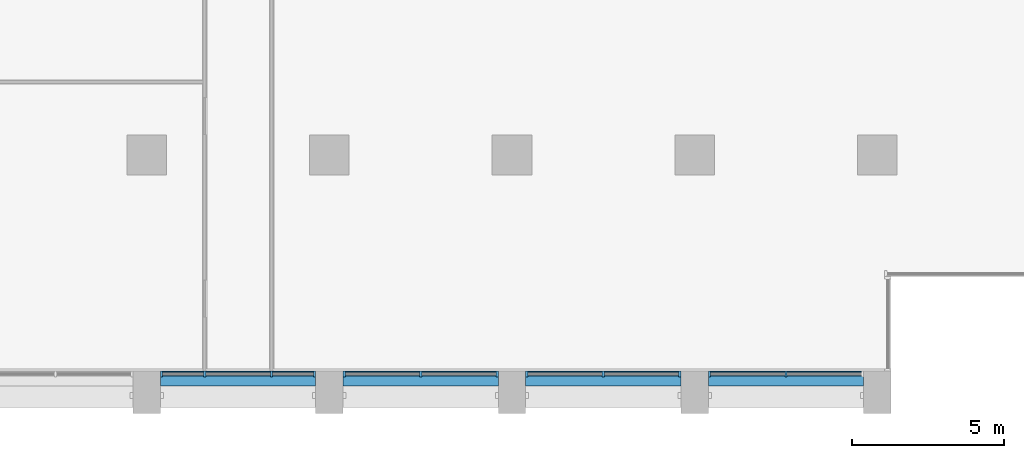
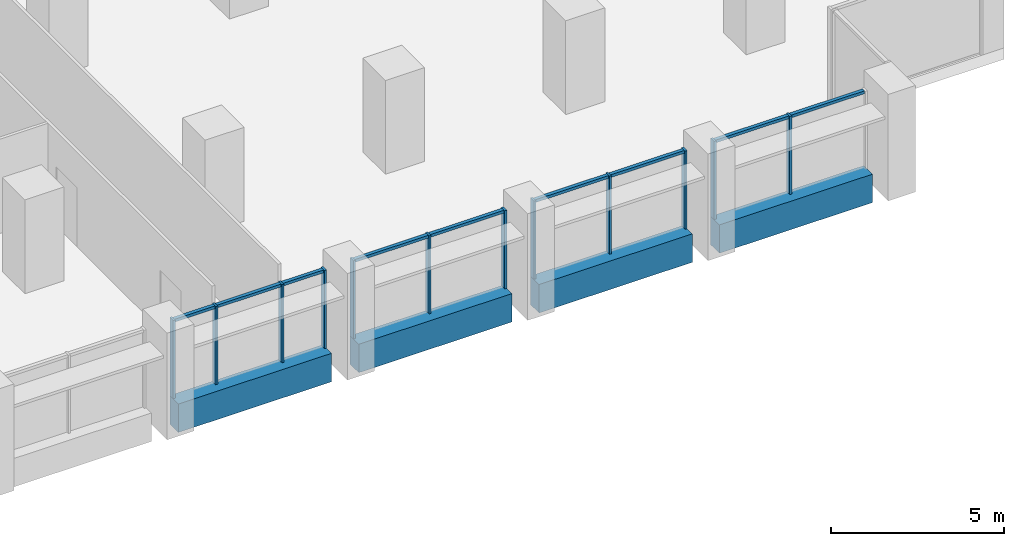
# One storey, part 3 of 15: 21 members, 4 beams, 4 elements without a shape of their own.
"""IFC4 building model written with IfcOpenShell, lengths in metres."""

from ifc_helpers import new_model, si_unit, direction, frame, origin, origin_2d, place, context, subcontext, project, spatial, rectangle, extrude, material, material_profile, profile_set, type_object, element, aggregate, save


model = new_model("IFC4")

# Units and contexts
model_context = context("Model", 3, precision=1e-05, world=origin(), true_north=direction((0.0, 1.0)))
body_context = subcontext(model_context, "Body", "Model", "MODEL_VIEW")
ifc_project = project(units=[si_unit("LENGTHUNIT", "METRE"), si_unit("AREAUNIT", "SQUARE_METRE"), si_unit("VOLUMEUNIT", "CUBIC_METRE"), si_unit("PLANEANGLEUNIT", "RADIAN"), si_unit("MASSUNIT", "GRAM", prefix="KILO")], contexts=[model_context])

# Site, building, storey
site_placement = place(None, origin())
site = spatial("IfcSite", under=ifc_project, at=site_placement, CompositionType="ELEMENT")
building_placement = place(site_placement, origin())
building = spatial("IfcBuilding", under=site, at=building_placement, Name="Calvaro Tower", CompositionType="ELEMENT")
storey_placement = place(building_placement, frame((0.0, 0.0, 125.0)))
storey = spatial("IfcBuildingStorey", under=building, at=storey_placement, Name="L31", CompositionType="ELEMENT", Elevation=125.0)

# Curtain wall, members
ifc_material_1 = material(Name="Anodised aluminium", Category="aluminium")
curtain_wall_type = type_object("IfcCurtainWallType", Name="Office curtain wall, middle zone", PredefinedType="NOTDEFINED", material=ifc_material_1)
curtain_wall_1_placement = place(storey_placement, origin())
curtain_wall_1 = element("IfcCurtainWall", 1, at=curtain_wall_1_placement, inside=storey, type_object=curtain_wall_type, Name="CW2 south curtain wall", PredefinedType="NOTDEFINED")
ifc_material_2 = material(Name="Anodised aluminium", Category="aluminium")
ifc_material_profile_1 = material_profile(ifc_material_2, rectangle(XDim=0.199951171875, YDim=0.070068359375, at=origin_2d()), Name="Mullion S2 70 x 200")
ifc_profile_set_1 = profile_set([ifc_material_profile_1], Name="Anodised aluminium")
member_type_1 = type_object("IfcMemberType", Name="Mullion S2 70 x 200", PredefinedType="MULLION", material=ifc_profile_set_1)
member_1_placement = place(storey_placement, frame((42.485107421875, 2.800048828125, 0.0), z_axis=(0.0, 0.0, 1.0), x_axis=(0.0, 1.0, 0.0)))
member_1 = element("IfcMember", 2, at=member_1_placement, type_object=member_type_1, Name="CW2 mullion 1", PredefinedType="MULLION", context=body_context, shape_type="SweptSolid", body=[
    extrude(rectangle(XDim=0.199951171875, YDim=0.070068359375, at=origin_2d()), origin(), (0.0, 0.0, 1.0), 2.75),
])
member_2_placement = place(storey_placement, frame((43.89990234375, 2.800048828125, 0.0), z_axis=(0.0, 0.0, 1.0), x_axis=(0.0, 1.0, 0.0)))
member_2 = element("IfcMember", 3, at=member_2_placement, type_object=member_type_1, Name="CW2 mullion 2", PredefinedType="MULLION", context=body_context, shape_type="SweptSolid", body=[
    extrude(rectangle(XDim=0.199951171875, YDim=0.070068359375, at=origin_2d()), origin(), (0.0, 0.0, 1.0), 2.75),
])
member_3_placement = place(storey_placement, frame((46.10009765625, 2.800048828125, 0.0), z_axis=(0.0, 0.0, 1.0), x_axis=(0.0, 1.0, 0.0)))
member_3 = element("IfcMember", 4, at=member_3_placement, type_object=member_type_1, Name="CW2 mullion 3", PredefinedType="MULLION", context=body_context, shape_type="SweptSolid", body=[
    extrude(rectangle(XDim=0.199951171875, YDim=0.070068359375, at=origin_2d()), origin(), (0.0, 0.0, 1.0), 2.75),
])
member_4_placement = place(storey_placement, frame((47.514892578125, 2.800048828125, 0.0), z_axis=(0.0, 0.0, 1.0), x_axis=(0.0, 1.0, 0.0)))
member_4 = element("IfcMember", 5, at=member_4_placement, type_object=member_type_1, Name="CW2 mullion 4", PredefinedType="MULLION", context=body_context, shape_type="SweptSolid", body=[
    extrude(rectangle(XDim=0.199951171875, YDim=0.070068359375, at=origin_2d()), origin(), (0.0, 0.0, 1.0), 2.75),
])

curtain_wall_2_placement = place(storey_placement, origin())
curtain_wall_2 = element("IfcCurtainWall", 6, at=curtain_wall_2_placement, inside=storey, type_object=curtain_wall_type, Name="CW2 south curtain wall", PredefinedType="NOTDEFINED")
member_5_placement = place(storey_placement, frame((48.485107421875, 2.800048828125, 0.0), z_axis=(0.0, 0.0, 1.0), x_axis=(0.0, 1.0, 0.0)))
member_5 = element("IfcMember", 7, at=member_5_placement, type_object=member_type_1, Name="CW2 mullion 1", PredefinedType="MULLION", context=body_context, shape_type="SweptSolid", body=[
    extrude(rectangle(XDim=0.199951171875, YDim=0.070068359375, at=origin_2d()), origin(), (0.0, 0.0, 1.0), 2.75),
])
member_6_placement = place(storey_placement, frame((51.0, 2.800048828125, 0.0), z_axis=(0.0, 0.0, 1.0), x_axis=(0.0, 1.0, 0.0)))
member_6 = element("IfcMember", 8, at=member_6_placement, type_object=member_type_1, Name="CW2 mullion 2", PredefinedType="MULLION", context=body_context, shape_type="SweptSolid", body=[
    extrude(rectangle(XDim=0.199951171875, YDim=0.070068359375, at=origin_2d()), origin(), (0.0, 0.0, 1.0), 2.75),
])
member_7_placement = place(storey_placement, frame((53.514892578125, 2.800048828125, 0.0), z_axis=(0.0, 0.0, 1.0), x_axis=(0.0, 1.0, 0.0)))
member_7 = element("IfcMember", 9, at=member_7_placement, type_object=member_type_1, Name="CW2 mullion 3", PredefinedType="MULLION", context=body_context, shape_type="SweptSolid", body=[
    extrude(rectangle(XDim=0.199951171875, YDim=0.070068359375, at=origin_2d()), origin(), (0.0, 0.0, 1.0), 2.75),
])

curtain_wall_3_placement = place(storey_placement, origin())
curtain_wall_3 = element("IfcCurtainWall", 10, at=curtain_wall_3_placement, inside=storey, type_object=curtain_wall_type, Name="CW2 south curtain wall", PredefinedType="NOTDEFINED")
member_8_placement = place(storey_placement, frame((54.485107421875, 2.800048828125, 0.0), z_axis=(0.0, 0.0, 1.0), x_axis=(0.0, 1.0, 0.0)))
member_8 = element("IfcMember", 11, at=member_8_placement, type_object=member_type_1, Name="CW2 mullion 1", PredefinedType="MULLION", context=body_context, shape_type="SweptSolid", body=[
    extrude(rectangle(XDim=0.199951171875, YDim=0.070068359375, at=origin_2d()), origin(), (0.0, 0.0, 1.0), 2.75),
])
member_9_placement = place(storey_placement, frame((57.0, 2.800048828125, 0.0), z_axis=(0.0, 0.0, 1.0), x_axis=(0.0, 1.0, 0.0)))
member_9 = element("IfcMember", 12, at=member_9_placement, type_object=member_type_1, Name="CW2 mullion 2", PredefinedType="MULLION", context=body_context, shape_type="SweptSolid", body=[
    extrude(rectangle(XDim=0.199951171875, YDim=0.070068359375, at=origin_2d()), origin(), (0.0, 0.0, 1.0), 2.75),
])
member_10_placement = place(storey_placement, frame((59.514892578125, 2.800048828125, 0.0), z_axis=(0.0, 0.0, 1.0), x_axis=(0.0, 1.0, 0.0)))
member_10 = element("IfcMember", 13, at=member_10_placement, type_object=member_type_1, Name="CW2 mullion 3", PredefinedType="MULLION", context=body_context, shape_type="SweptSolid", body=[
    extrude(rectangle(XDim=0.199951171875, YDim=0.070068359375, at=origin_2d()), origin(), (0.0, 0.0, 1.0), 2.75),
])

curtain_wall_4_placement = place(storey_placement, origin())
curtain_wall_4 = element("IfcCurtainWall", 14, at=curtain_wall_4_placement, inside=storey, type_object=curtain_wall_type, Name="CW2 south curtain wall", PredefinedType="NOTDEFINED")
member_11_placement = place(storey_placement, frame((60.485107421875, 2.800048828125, 0.0), z_axis=(0.0, 0.0, 1.0), x_axis=(0.0, 1.0, 0.0)))
member_11 = element("IfcMember", 15, at=member_11_placement, type_object=member_type_1, Name="CW2 mullion 1", PredefinedType="MULLION", context=body_context, shape_type="SweptSolid", body=[
    extrude(rectangle(XDim=0.199951171875, YDim=0.070068359375, at=origin_2d()), origin(), (0.0, 0.0, 1.0), 2.75),
])
member_12_placement = place(storey_placement, frame((63.0, 2.800048828125, 0.0), z_axis=(0.0, 0.0, 1.0), x_axis=(0.0, 1.0, 0.0)))
member_12 = element("IfcMember", 16, at=member_12_placement, type_object=member_type_1, Name="CW2 mullion 2", PredefinedType="MULLION", context=body_context, shape_type="SweptSolid", body=[
    extrude(rectangle(XDim=0.199951171875, YDim=0.070068359375, at=origin_2d()), origin(), (0.0, 0.0, 1.0), 2.75),
])

# Beams
ifc_material_3 = material(Name="Concrete C50/60 precast", Category="concrete")
ifc_material_profile_2 = material_profile(ifc_material_3, rectangle(XDim=0.5, YDim=1.0, at=origin_2d()), Name="RC 500x1000")
ifc_profile_set_2 = profile_set([ifc_material_profile_2], Name="Concrete C50/60 precast")
beam_type = type_object("IfcBeamType", Name="Spandrel beam 500x1000 C50/60", PredefinedType="SPANDREL", material=ifc_profile_set_2)
for number, where, z_axis, x_axis, name in (
    (17, (42.449951171875, 2.64990234375, -0.5), (1.0, 0.0, 0.0), (0.0, 1.0, 0.0), "Spandrel beam"),
    (18, (48.449951171875, 2.64990234375, -0.5), (1.0, 0.0, 0.0), (0.0, 1.0, 0.0), "Spandrel beam"),
    (19, (54.449951171875, 2.64990234375, -0.5), (1.0, 0.0, 0.0), (0.0, 1.0, 0.0), "Spandrel beam"),
    (20, (60.449951171875, 2.64990234375, -0.5), (1.0, 0.0, 0.0), (0.0, 1.0, 0.0), "Spandrel beam"),
):
    element("IfcBeam", number, at=place(storey_placement, frame(where, z_axis=z_axis, x_axis=x_axis)), inside=storey, type_object=beam_type, Name=name, PredefinedType="SPANDREL", context=body_context, shape_type="SweptSolid", body=[
        extrude(rectangle(XDim=0.5, YDim=1.0, at=origin_2d()), origin(), (0.0, 0.0, 1.0), 5.10009765625),
    ])

# Member
ifc_material_4 = material(Name="Anodised aluminium", Category="aluminium")
ifc_material_profile_3 = material_profile(ifc_material_4, rectangle(XDim=0.1201171875, YDim=0.10009765625, at=origin_2d()), Name="Transom S2 100 x 120")
ifc_profile_set_3 = profile_set([ifc_material_profile_3], Name="Anodised aluminium")
member_type_2 = type_object("IfcMemberType", Name="Transom S2 100 x 120", PredefinedType="USERDEFINED", material=ifc_profile_set_3)
member_13_placement = place(storey_placement, frame((42.52001953125, 2.800048828125, 2.699951171875), z_axis=(1.0, 0.0, 0.0), x_axis=(0.0, 1.0, 0.0)))
member_13 = element("IfcMember", 21, at=member_13_placement, type_object=member_type_2, Name="CW2 transom 1.1", ObjectType="TRANSOM", PredefinedType="USERDEFINED", context=body_context, shape_type="SweptSolid", body=[
    extrude(rectangle(XDim=0.1201171875, YDim=0.10009765625, at=origin_2d()), origin(), (0.0, 0.0, 1.0), 1.344970703125),
])

member_14_placement = place(storey_placement, frame((43.93505859375, 2.800048828125, 2.699951171875), z_axis=(1.0, 0.0, 0.0), x_axis=(0.0, 1.0, 0.0)))
member_14 = element("IfcMember", 22, at=member_14_placement, type_object=member_type_2, Name="CW2 transom 2.1", ObjectType="TRANSOM", PredefinedType="USERDEFINED", context=body_context, shape_type="SweptSolid", body=[
    extrude(rectangle(XDim=0.1201171875, YDim=0.10009765625, at=origin_2d()), origin(), (0.0, 0.0, 1.0), 2.1298828125),
])

member_15_placement = place(storey_placement, frame((46.135009765625, 2.800048828125, 2.699951171875), z_axis=(1.0, 0.0, 0.0), x_axis=(0.0, 1.0, 0.0)))
member_15 = element("IfcMember", 23, at=member_15_placement, type_object=member_type_2, Name="CW2 transom 3.1", ObjectType="TRANSOM", PredefinedType="USERDEFINED", context=body_context, shape_type="SweptSolid", body=[
    extrude(rectangle(XDim=0.1201171875, YDim=0.10009765625, at=origin_2d()), origin(), (0.0, 0.0, 1.0), 1.344970703125),
])

aggregate(curtain_wall_1, [member_1, member_2, member_3, member_4, member_13, member_14, member_15])

member_16_placement = place(storey_placement, frame((48.52001953125, 2.800048828125, 2.699951171875), z_axis=(1.0, 0.0, 0.0), x_axis=(0.0, 1.0, 0.0)))
member_16 = element("IfcMember", 24, at=member_16_placement, type_object=member_type_2, Name="CW2 transom 1.1", ObjectType="TRANSOM", PredefinedType="USERDEFINED", context=body_context, shape_type="SweptSolid", body=[
    extrude(rectangle(XDim=0.1201171875, YDim=0.10009765625, at=origin_2d()), origin(), (0.0, 0.0, 1.0), 2.445068359375),
])

member_17_placement = place(storey_placement, frame((51.034912109375, 2.800048828125, 2.699951171875), z_axis=(1.0, 0.0, 0.0), x_axis=(0.0, 1.0, 0.0)))
member_17 = element("IfcMember", 25, at=member_17_placement, type_object=member_type_2, Name="CW2 transom 2.1", ObjectType="TRANSOM", PredefinedType="USERDEFINED", context=body_context, shape_type="SweptSolid", body=[
    extrude(rectangle(XDim=0.1201171875, YDim=0.10009765625, at=origin_2d()), origin(), (0.0, 0.0, 1.0), 2.445068359375),
])

aggregate(curtain_wall_2, [member_5, member_6, member_7, member_16, member_17])

member_18_placement = place(storey_placement, frame((54.52001953125, 2.800048828125, 2.699951171875), z_axis=(1.0, 0.0, 0.0), x_axis=(0.0, 1.0, 0.0)))
member_18 = element("IfcMember", 26, at=member_18_placement, type_object=member_type_2, Name="CW2 transom 1.1", ObjectType="TRANSOM", PredefinedType="USERDEFINED", context=body_context, shape_type="SweptSolid", body=[
    extrude(rectangle(XDim=0.1201171875, YDim=0.10009765625, at=origin_2d()), origin(), (0.0, 0.0, 1.0), 2.445068359375),
])

member_19_placement = place(storey_placement, frame((57.034912109375, 2.800048828125, 2.699951171875), z_axis=(1.0, 0.0, 0.0), x_axis=(0.0, 1.0, 0.0)))
member_19 = element("IfcMember", 27, at=member_19_placement, type_object=member_type_2, Name="CW2 transom 2.1", ObjectType="TRANSOM", PredefinedType="USERDEFINED", context=body_context, shape_type="SweptSolid", body=[
    extrude(rectangle(XDim=0.1201171875, YDim=0.10009765625, at=origin_2d()), origin(), (0.0, 0.0, 1.0), 2.445068359375),
])

aggregate(curtain_wall_3, [member_8, member_9, member_10, member_18, member_19])

member_20_placement = place(storey_placement, frame((60.52001953125, 2.800048828125, 2.699951171875), z_axis=(1.0, 0.0, 0.0), x_axis=(0.0, 1.0, 0.0)))
member_20 = element("IfcMember", 28, at=member_20_placement, type_object=member_type_2, Name="CW2 transom 1.1", ObjectType="TRANSOM", PredefinedType="USERDEFINED", context=body_context, shape_type="SweptSolid", body=[
    extrude(rectangle(XDim=0.1201171875, YDim=0.10009765625, at=origin_2d()), origin(), (0.0, 0.0, 1.0), 2.445068359375),
])

member_21_placement = place(storey_placement, frame((63.034912109375, 2.800048828125, 2.699951171875), z_axis=(1.0, 0.0, 0.0), x_axis=(0.0, 1.0, 0.0)))
member_21 = element("IfcMember", 29, at=member_21_placement, type_object=member_type_2, Name="CW2 transom 2.1", ObjectType="TRANSOM", PredefinedType="USERDEFINED", context=body_context, shape_type="SweptSolid", body=[
    extrude(rectangle(XDim=0.1201171875, YDim=0.10009765625, at=origin_2d()), origin(), (0.0, 0.0, 1.0), 2.445068359375),
])

aggregate(curtain_wall_4, [member_11, member_12, member_20, member_21])

save(model, "model.ifc")
